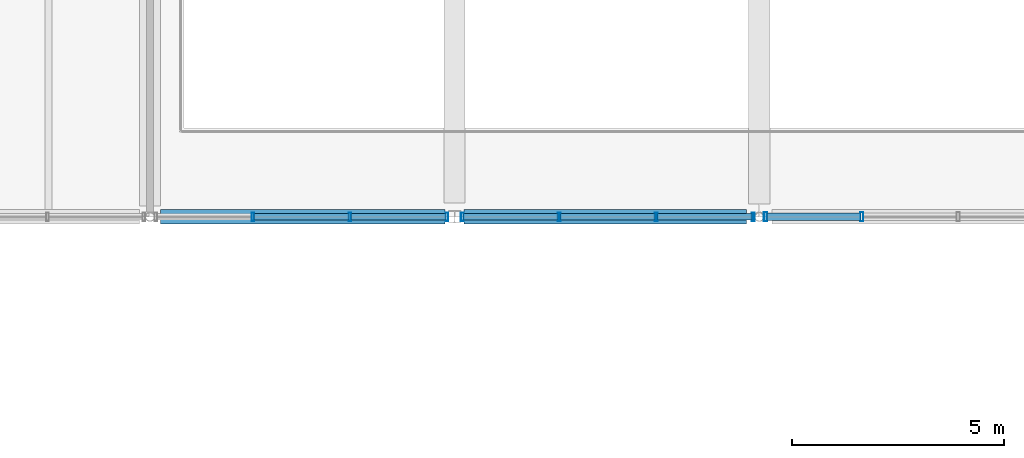
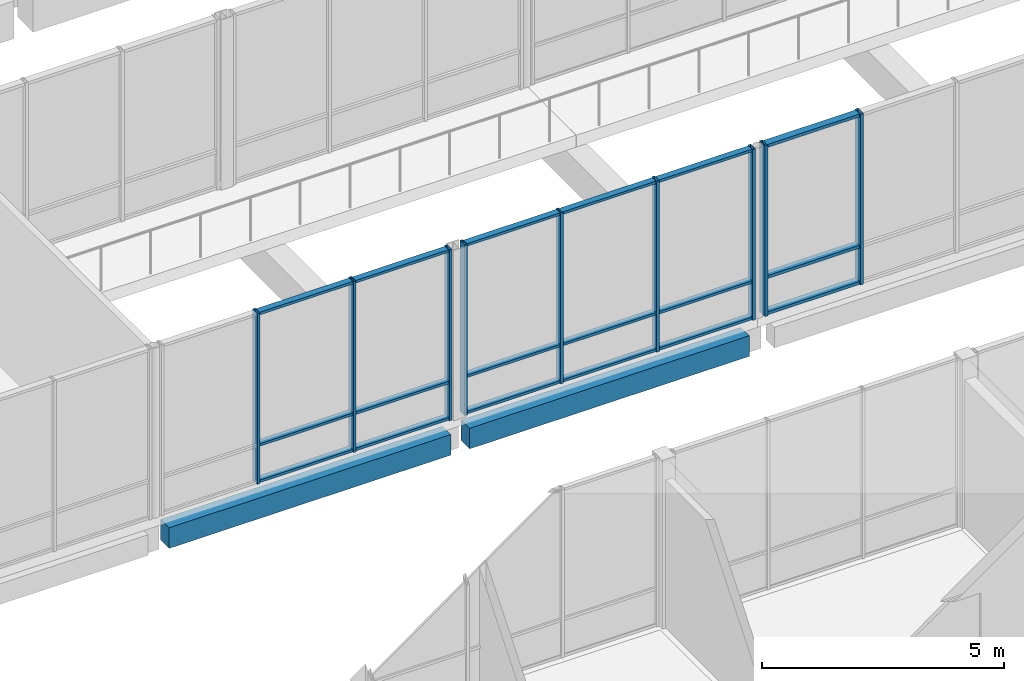
# One storey, part 36 of 146: 27 members, 2 beams, 3 elements without a shape of their own.
"""IFC4 building model written with IfcOpenShell, lengths in metres."""

import ifcopenshell
import ifcopenshell.guid

model = None  # the IFC model being written
_history = None  # IfcOwnerHistory: only IFC2X3 demands one
_inside = {}  # id of a spatial element -> (the spatial element, [elements in it])
_under = {}  # id of a project, library or spatial element -> (it, [spatial elements below it])
_declared = {}  # id of a project -> (the project, [libraries it declares])
_typed = {}  # id of a type object -> (the type object, [elements of that type])
_made_of = {}  # id of a material, layer set ... -> (it, [elements and type objects made of it])


def new_model(schema):
    """Start an empty IFC model of exactly this schema.

    Asked for "IFC4X3", IfcOpenShell would pick the latest addendum, in which some entities
    have other attributes; the version numbers below select the first issue.
    IFC2X3 requires an IfcOwnerHistory on every rooted entity: one is made here for all.
    """
    global model, _history
    if schema == "IFC4X3":
        model = ifcopenshell.file(schema_version=(4, 3, 0, 0))
    else:
        model = ifcopenshell.file(schema=schema)
    _inside.clear()
    _under.clear()
    _declared.clear()
    _typed.clear()
    _made_of.clear()
    _history = None
    if model.schema == "IFC2X3":
        org = make("IfcOrganization", Name="unknown")
        user = make(
            "IfcPersonAndOrganization",
            ThePerson=make("IfcPerson", FamilyName="unknown"),
            TheOrganization=org,
        )
        app = make(
            "IfcApplication",
            ApplicationDeveloper=org,
            Version="unknown",
            ApplicationFullName="unknown",
            ApplicationIdentifier="unknown",
        )
        _history = make(
            "IfcOwnerHistory",
            OwningUser=user,
            OwningApplication=app,
            ChangeAction="ADDED",
            CreationDate=0,
        )
    return model


def make(cls, **values):
    """One entity of the class cls with the attributes given. An attribute that is None is left unset."""
    return model.create_entity(
        cls, **{name: value for name, value in values.items() if value is not None}
    )


def rooted(cls, **values):
    """An entity with a GlobalId (a new one), such as an element, a storey or a relation."""
    return make(cls, GlobalId=ifcopenshell.guid.new(), OwnerHistory=_history, **values)


def si_unit(unit_type, name, prefix=None):
    """IfcSIUnit, for example si_unit("LENGTHUNIT", "METRE", prefix="MILLI")."""
    return make("IfcSIUnit", UnitType=unit_type, Prefix=prefix, Name=name)


def assignment(units):
    """IfcUnitAssignment: the units of a project."""
    return None if units is None else make("IfcUnitAssignment", Units=units)


def point(xyz):
    """IfcCartesianPoint."""
    return None if xyz is None else make("IfcCartesianPoint", Coordinates=xyz)


def direction(xyz):
    """IfcDirection."""
    return None if xyz is None else make("IfcDirection", DirectionRatios=xyz)


def frame(location, z_axis=None, x_axis=None):
    """IfcAxis2Placement3D, a coordinate frame: its origin and axes. An axis left out is left unset."""
    return make(
        "IfcAxis2Placement3D",
        Location=point(location),
        Axis=direction(z_axis),
        RefDirection=direction(x_axis),
    )


def frame_2d(location, x_axis=None):
    """IfcAxis2Placement2D, a coordinate frame in the plane: its origin and x axis."""
    return make(
        "IfcAxis2Placement2D", Location=point(location), RefDirection=direction(x_axis)
    )


def origin():
    """The frame at (0, 0, 0) with its axes left unset."""
    return frame((0.0, 0.0, 0.0))


def origin_2d():
    """The frame at (0, 0) in the plane with its x axis left unset."""
    return frame_2d((0.0, 0.0))


def place(relative_to, where):
    """IfcLocalPlacement: puts the frame where relative to a parent placement (None: the world)."""
    return make(
        "IfcLocalPlacement", PlacementRelTo=relative_to, RelativePlacement=where
    )


def context(
    kind, dimensions, precision=None, world=None, true_north=None, identifier=None
):
    """IfcGeometricRepresentationContext, for example the 3D "Model" context."""
    return make(
        "IfcGeometricRepresentationContext",
        ContextIdentifier=identifier,
        ContextType=kind,
        CoordinateSpaceDimension=dimensions,
        Precision=precision,
        WorldCoordinateSystem=world,
        TrueNorth=true_north,
    )


def subcontext(parent, identifier, kind, view, scale=None):
    """IfcGeometricRepresentationSubContext, for example "Body" below "Model"."""
    return make(
        "IfcGeometricRepresentationSubContext",
        ContextIdentifier=identifier,
        ContextType=kind,
        ParentContext=parent,
        TargetScale=scale,
        TargetView=view,
    )


def project(units=None, contexts=None):
    """IfcProject with its units and contexts."""
    return rooted(
        "IfcProject",
        Name="project",
        RepresentationContexts=contexts,
        UnitsInContext=assignment(units),
    )


def spatial(cls, under=None, at=None, **own):
    """A site, building, storey or space (cls), placed at a placement, below another one or the project."""
    s = rooted(cls, ObjectPlacement=at, **own)
    if under is not None:
        _under.setdefault(under.id(), (under, []))[1].append(s)
    return s


def profile(cls, at=None, kind="AREA", **sizes):
    """A parametric profile (cls). Its sizes go by their IFC names, for example OverallWidth=200.0."""
    return make(cls, ProfileType=kind, Position=at, **sizes)


def rectangle(**sizes):
    """IfcRectangleProfileDef."""
    return profile("IfcRectangleProfileDef", **sizes)


def hollow_rectangle(**sizes):
    """IfcRectangleHollowProfileDef."""
    return profile("IfcRectangleHollowProfileDef", **sizes)


def extrude(swept, where, along, depth):
    """IfcExtrudedAreaSolid: the profile swept, set in the frame where, extruded along a direction by depth."""
    return make(
        "IfcExtrudedAreaSolid",
        SweptArea=swept,
        Position=where,
        ExtrudedDirection=direction(along),
        Depth=depth,
    )


def shape(context_of_items, identifier, shape_type, items):
    """IfcShapeRepresentation: the items that make up one representation, for example the "Body"."""
    return make(
        "IfcShapeRepresentation",
        ContextOfItems=context_of_items,
        RepresentationIdentifier=identifier,
        RepresentationType=shape_type,
        Items=items,
    )


def material(Name=None, Category=None):
    """IfcMaterial."""
    return make("IfcMaterial", Name=Name, Category=Category)


def material_profile(
    of_material, cross_section, Name=None, Category=None, Priority=None
):
    """IfcMaterialProfile: a cross section and its material."""
    return make(
        "IfcMaterialProfile",
        Name=Name,
        Material=of_material,
        Profile=cross_section,
        Priority=Priority,
        Category=Category,
    )


def profile_set(profiles, Name=None, composite=None):
    """IfcMaterialProfileSet."""
    return make(
        "IfcMaterialProfileSet",
        Name=Name,
        MaterialProfiles=profiles,
        CompositeProfile=composite,
    )


def made_of(thing, what):
    """Note that an element or type object is made of a material, layer set ...; save() writes the relation."""
    if what is not None:
        _made_of.setdefault(what.id(), (what, []))[1].append(thing)
    return thing


def type_object(cls, material=None, **own):
    """A type object (cls), such as IfcWallType, which elements share."""
    return made_of(rooted(cls, **own), material)


def element(
    cls,
    number,
    at=None,
    inside=None,
    cuts=None,
    type_object=None,
    material=None,
    context=None,
    identifier="Body",
    shape_type=None,
    held_by="IfcProductDefinitionShape",
    body=None,
    shapes=None,
    **own,
):
    """One element of the class cls, such as IfcWall. Its Tag is "e" and its number.

    at: its placement. inside: the storey or other place that contains it. cuts: it is an
    opening in that element (IfcRelVoidsElement). A single representation is given by context,
    identifier, shape_type and body (its items); several are given by shapes. held_by: the class
    of the entity that holds the representations. save() writes the other relations.
    """
    e = rooted(cls, Tag="e%d" % number, ObjectPlacement=at, **own)
    if body is not None:
        shapes = [shape(context, identifier, shape_type, body)]
    if shapes is not None:
        e.Representation = make(held_by, Representations=shapes)
    if inside is not None:
        _inside.setdefault(inside.id(), (inside, []))[1].append(e)
    if cuts is not None:
        rooted(
            "IfcRelVoidsElement", RelatingBuildingElement=cuts, RelatedOpeningElement=e
        )
    if type_object is not None:
        _typed.setdefault(type_object.id(), (type_object, []))[1].append(e)
    return made_of(e, material)


def aggregate(whole, parts):
    """IfcRelAggregates: a whole, such as a stair, and the parts it consists of."""
    return rooted("IfcRelAggregates", RelatingObject=whole, RelatedObjects=parts)


def save(model, path):
    """Write the relations noted so far, then the file.

    IfcRelAggregates (storeys below a building ...), IfcRelContainedInSpatialStructure (elements
    in a storey), IfcRelDefinesByType, IfcRelAssociatesMaterial and IfcRelDeclares: one each for
    every whole, place, type object, material and project.
    """
    for whole, parts in _under.values():
        aggregate(whole, parts)
    for where, things in _inside.values():
        rooted(
            "IfcRelContainedInSpatialStructure",
            RelatedElements=things,
            RelatingStructure=where,
        )
    for kind, things in _typed.values():
        rooted("IfcRelDefinesByType", RelatedObjects=things, RelatingType=kind)
    for what, things in _made_of.values():
        rooted("IfcRelAssociatesMaterial", RelatedObjects=things, RelatingMaterial=what)
    for by, libraries in _declared.values():
        rooted("IfcRelDeclares", RelatingContext=by, RelatedDefinitions=libraries)
    model.write(path)


model = new_model("IFC4")

# Units and contexts
model_context = context("Model", 3, precision=1e-05, world=origin(), true_north=direction((0.0, 1.0)))
body_context = subcontext(model_context, "Body", "Model", "MODEL_VIEW")
ifc_project = project(units=[si_unit("LENGTHUNIT", "METRE"), si_unit("AREAUNIT", "SQUARE_METRE"), si_unit("VOLUMEUNIT", "CUBIC_METRE"), si_unit("PLANEANGLEUNIT", "RADIAN"), si_unit("MASSUNIT", "GRAM", prefix="KILO")], contexts=[model_context])

# Site, building, storey
site_placement = place(None, origin())
site = spatial("IfcSite", under=ifc_project, at=site_placement, CompositionType="ELEMENT")
building_placement = place(site_placement, origin())
building = spatial("IfcBuilding", under=site, at=building_placement, Name="Hawrajan Terrace Health Centre", CompositionType="ELEMENT")
storey_placement = place(building_placement, frame((0.0, 0.0, 4.5)))
storey = spatial("IfcBuildingStorey", under=building, at=storey_placement, Name="L01", CompositionType="ELEMENT", Elevation=4.5)

# Curtain wall, members
ifc_material_1 = material(Name="Anodized bronze aluminium and low-E solar glazing", Category="aluminium")
curtain_wall_type_1 = type_object("IfcCurtainWallType", Name="CW_Clerestory_SeriesG1", PredefinedType="USERDEFINED", material=ifc_material_1)
curtain_wall_1_placement = place(storey_placement, origin())
curtain_wall_1 = element("IfcCurtainWall", 1, at=curtain_wall_1_placement, inside=storey, type_object=curtain_wall_type_1, Name="Curtain wall CW-L01-064", ObjectType="UNITISED CURTAIN WALL", PredefinedType="USERDEFINED")
ifc_material_2 = material(Name="Anodized bronze aluminium 6063-T6", Category="aluminium")
ifc_material_profile_1 = material_profile(ifc_material_2, hollow_rectangle(XDim=0.06494140625, YDim=0.199951171875, WallThickness=0.00439453125, at=origin_2d()), Name="CW MUL 65x200")
ifc_profile_set_1 = profile_set([ifc_material_profile_1], Name="Anodized bronze aluminium 6063-T6")
member_type_1 = type_object("IfcMemberType", Name="CWMullion_65x200", PredefinedType="MULLION", material=ifc_profile_set_1)
member_1_placement = place(storey_placement, frame((35.833740234375, 27.199951171875, -0.0048828125), z_axis=(0.0, 0.0, 1.0), x_axis=(1.0, 0.0, 0.0)))
member_1 = element("IfcMember", 2, at=member_1_placement, type_object=member_type_1, Name="Mullion CW-L01-064-M2", PredefinedType="MULLION", context=body_context, shape_type="SweptSolid", body=[
    extrude(hollow_rectangle(XDim=0.06494140625, YDim=0.199951171875, WallThickness=0.00439453125, at=origin_2d()), origin(), (0.0, 0.0, 1.0), 4.309814453125),
])
member_2_placement = place(storey_placement, frame((38.125732421875, 27.199951171875, -0.0048828125), z_axis=(0.0, 0.0, 1.0), x_axis=(1.0, 0.0, 0.0)))
member_2 = element("IfcMember", 3, at=member_2_placement, type_object=member_type_1, Name="Mullion CW-L01-064-M3", PredefinedType="MULLION", context=body_context, shape_type="SweptSolid", body=[
    extrude(hollow_rectangle(XDim=0.06494140625, YDim=0.199951171875, WallThickness=0.00439453125, at=origin_2d()), origin(), (0.0, 0.0, 1.0), 4.309814453125),
])
member_3_placement = place(storey_placement, frame((40.41748046875, 27.199951171875, -0.0048828125), z_axis=(0.0, 0.0, 1.0), x_axis=(1.0, 0.0, 0.0)))
member_3 = element("IfcMember", 4, at=member_3_placement, type_object=member_type_1, Name="Mullion CW-L01-064-M4", PredefinedType="MULLION", context=body_context, shape_type="SweptSolid", body=[
    extrude(hollow_rectangle(XDim=0.06494140625, YDim=0.199951171875, WallThickness=0.00439453125, at=origin_2d()), origin(), (0.0, 0.0, 1.0), 4.309814453125),
])

curtain_wall_type_2 = type_object("IfcCurtainWallType", Name="CW_Setback_SeriesL1", PredefinedType="USERDEFINED", material=ifc_material_1)
curtain_wall_2_placement = place(storey_placement, origin())
curtain_wall_2 = element("IfcCurtainWall", 5, at=curtain_wall_2_placement, inside=storey, type_object=curtain_wall_type_2, Name="Curtain wall CW-L01-070", ObjectType="UNITISED CURTAIN WALL", PredefinedType="USERDEFINED")
member_4_placement = place(storey_placement, frame((40.782470703125, 27.199951171875, -0.0048828125), z_axis=(0.0, 0.0, 1.0), x_axis=(1.0, 0.0, 0.0)))
member_4 = element("IfcMember", 6, at=member_4_placement, type_object=member_type_1, Name="Mullion CW-L01-070-M1", PredefinedType="MULLION", context=body_context, shape_type="SweptSolid", body=[
    extrude(hollow_rectangle(XDim=0.06494140625, YDim=0.199951171875, WallThickness=0.00439453125, at=origin_2d()), origin(), (0.0, 0.0, 1.0), 4.309814453125),
])
member_5_placement = place(storey_placement, frame((43.07421875, 27.199951171875, -0.0048828125), z_axis=(0.0, 0.0, 1.0), x_axis=(1.0, 0.0, 0.0)))
member_5 = element("IfcMember", 7, at=member_5_placement, type_object=member_type_1, Name="Mullion CW-L01-070-M2", PredefinedType="MULLION", context=body_context, shape_type="SweptSolid", body=[
    extrude(hollow_rectangle(XDim=0.06494140625, YDim=0.199951171875, WallThickness=0.00439453125, at=origin_2d()), origin(), (0.0, 0.0, 1.0), 4.309814453125),
])
member_6_placement = place(storey_placement, frame((45.3662109375, 27.199951171875, -0.0048828125), z_axis=(0.0, 0.0, 1.0), x_axis=(1.0, 0.0, 0.0)))
member_6 = element("IfcMember", 8, at=member_6_placement, type_object=member_type_1, Name="Mullion CW-L01-070-M3", PredefinedType="MULLION", context=body_context, shape_type="SweptSolid", body=[
    extrude(hollow_rectangle(XDim=0.06494140625, YDim=0.199951171875, WallThickness=0.00439453125, at=origin_2d()), origin(), (0.0, 0.0, 1.0), 4.309814453125),
])
member_7_placement = place(storey_placement, frame((47.657958984375, 27.199951171875, -0.0048828125), z_axis=(0.0, 0.0, 1.0), x_axis=(1.0, 0.0, 0.0)))
member_7 = element("IfcMember", 9, at=member_7_placement, type_object=member_type_1, Name="Mullion CW-L01-070-M4", PredefinedType="MULLION", context=body_context, shape_type="SweptSolid", body=[
    extrude(hollow_rectangle(XDim=0.06494140625, YDim=0.199951171875, WallThickness=0.00439453125, at=origin_2d()), origin(), (0.0, 0.0, 1.0), 4.309814453125),
])

curtain_wall_type_3 = type_object("IfcCurtainWallType", Name="CW_Court_SeriesA2", PredefinedType="USERDEFINED", material=ifc_material_1)
curtain_wall_3_placement = place(storey_placement, origin())
curtain_wall_3 = element("IfcCurtainWall", 10, at=curtain_wall_3_placement, inside=storey, type_object=curtain_wall_type_3, Name="Curtain wall CW-L01-074", ObjectType="UNITISED CURTAIN WALL", PredefinedType="USERDEFINED")
ifc_material_profile_2 = material_profile(ifc_material_2, hollow_rectangle(XDim=0.074951171875, YDim=0.219970703125, WallThickness=0.0048828125, at=origin_2d()), Name="CW MUL 75x220")
ifc_profile_set_2 = profile_set([ifc_material_profile_2], Name="Anodized bronze aluminium 6063-T6")
member_type_2 = type_object("IfcMemberType", Name="CWMullion_75x220", PredefinedType="MULLION", material=ifc_profile_set_2)
member_8_placement = place(storey_placement, frame((47.947021484375, 27.199951171875, -0.0048828125), z_axis=(0.0, 0.0, 1.0), x_axis=(1.0, 0.0, 0.0)))
member_8 = element("IfcMember", 11, at=member_8_placement, type_object=member_type_2, Name="Mullion CW-L01-074-M1", PredefinedType="MULLION", context=body_context, shape_type="SweptSolid", body=[
    extrude(hollow_rectangle(XDim=0.074951171875, YDim=0.219970703125, WallThickness=0.0048828125, at=origin_2d()), origin(), (0.0, 0.0, 1.0), 4.309814453125),
])
member_9_placement = place(storey_placement, frame((50.2255859375, 27.199951171875, -0.0048828125), z_axis=(0.0, 0.0, 1.0), x_axis=(1.0, 0.0, 0.0)))
member_9 = element("IfcMember", 12, at=member_9_placement, type_object=member_type_2, Name="Mullion CW-L01-074-M2", PredefinedType="MULLION", context=body_context, shape_type="SweptSolid", body=[
    extrude(hollow_rectangle(XDim=0.074951171875, YDim=0.219970703125, WallThickness=0.0048828125, at=origin_2d()), origin(), (0.0, 0.0, 1.0), 4.309814453125),
])

# Member
ifc_material_profile_3 = material_profile(ifc_material_2, hollow_rectangle(XDim=0.06494140625, YDim=0.14990234375, WallThickness=0.00390625, at=origin_2d()), Name="CW TRN 65x150")
ifc_profile_set_3 = profile_set([ifc_material_profile_3], Name="Anodized bronze aluminium 6063-T6")
member_type_3 = type_object("IfcMemberType", Name="CWTransom_65x150", PredefinedType="USERDEFINED", material=ifc_profile_set_3)
member_10_placement = place(storey_placement, frame((35.8603515625, 27.199951171875, 0.032470703125), z_axis=(1.0, 0.0, 0.0), x_axis=(0.0, 0.0, 1.0)))
member_10 = element("IfcMember", 13, at=member_10_placement, type_object=member_type_3, Name="Transom CW-L01-064-T2-1", ObjectType="TRANSOM", PredefinedType="USERDEFINED", context=body_context, shape_type="SweptSolid", body=[
    extrude(hollow_rectangle(XDim=0.06494140625, YDim=0.14990234375, WallThickness=0.00390625, at=origin_2d()), origin(), (0.0, 0.0, 1.0), 2.23876953125),
])

member_11_placement = place(storey_placement, frame((35.8603515625, 27.199951171875, 0.949951171875), z_axis=(1.0, 0.0, 0.0), x_axis=(0.0, 0.0, 1.0)))
member_11 = element("IfcMember", 14, at=member_11_placement, type_object=member_type_3, Name="Transom CW-L01-064-T2-2", ObjectType="TRANSOM", PredefinedType="USERDEFINED", context=body_context, shape_type="SweptSolid", body=[
    extrude(hollow_rectangle(XDim=0.06494140625, YDim=0.14990234375, WallThickness=0.00390625, at=origin_2d()), origin(), (0.0, 0.0, 1.0), 2.23876953125),
])

member_12_placement = place(storey_placement, frame((35.8603515625, 27.199951171875, 4.267578125), z_axis=(1.0, 0.0, 0.0), x_axis=(0.0, 0.0, 1.0)))
member_12 = element("IfcMember", 15, at=member_12_placement, type_object=member_type_3, Name="Transom CW-L01-064-T2-3", ObjectType="TRANSOM", PredefinedType="USERDEFINED", context=body_context, shape_type="SweptSolid", body=[
    extrude(hollow_rectangle(XDim=0.06494140625, YDim=0.14990234375, WallThickness=0.00390625, at=origin_2d()), origin(), (0.0, 0.0, 1.0), 2.23876953125),
])

member_13_placement = place(storey_placement, frame((38.152099609375, 27.199951171875, 0.032470703125), z_axis=(1.0, 0.0, 0.0), x_axis=(0.0, 0.0, 1.0)))
member_13 = element("IfcMember", 16, at=member_13_placement, type_object=member_type_3, Name="Transom CW-L01-064-T3-1", ObjectType="TRANSOM", PredefinedType="USERDEFINED", context=body_context, shape_type="SweptSolid", body=[
    extrude(hollow_rectangle(XDim=0.06494140625, YDim=0.14990234375, WallThickness=0.00390625, at=origin_2d()), origin(), (0.0, 0.0, 1.0), 2.239013671875),
])

member_14_placement = place(storey_placement, frame((38.152099609375, 27.199951171875, 0.949951171875), z_axis=(1.0, 0.0, 0.0), x_axis=(0.0, 0.0, 1.0)))
member_14 = element("IfcMember", 17, at=member_14_placement, type_object=member_type_3, Name="Transom CW-L01-064-T3-2", ObjectType="TRANSOM", PredefinedType="USERDEFINED", context=body_context, shape_type="SweptSolid", body=[
    extrude(hollow_rectangle(XDim=0.06494140625, YDim=0.14990234375, WallThickness=0.00390625, at=origin_2d()), origin(), (0.0, 0.0, 1.0), 2.239013671875),
])

member_15_placement = place(storey_placement, frame((38.152099609375, 27.199951171875, 4.267578125), z_axis=(1.0, 0.0, 0.0), x_axis=(0.0, 0.0, 1.0)))
member_15 = element("IfcMember", 18, at=member_15_placement, type_object=member_type_3, Name="Transom CW-L01-064-T3-3", ObjectType="TRANSOM", PredefinedType="USERDEFINED", context=body_context, shape_type="SweptSolid", body=[
    extrude(hollow_rectangle(XDim=0.06494140625, YDim=0.14990234375, WallThickness=0.00390625, at=origin_2d()), origin(), (0.0, 0.0, 1.0), 2.239013671875),
])

aggregate(curtain_wall_1, [member_1, member_2, member_3, member_10, member_11, member_12, member_13, member_14, member_15])

member_16_placement = place(storey_placement, frame((40.80908203125, 27.199951171875, 0.032470703125), z_axis=(1.0, 0.0, 0.0), x_axis=(0.0, 0.0, 1.0)))
member_16 = element("IfcMember", 19, at=member_16_placement, type_object=member_type_3, Name="Transom CW-L01-070-T1-1", ObjectType="TRANSOM", PredefinedType="USERDEFINED", context=body_context, shape_type="SweptSolid", body=[
    extrude(hollow_rectangle(XDim=0.06494140625, YDim=0.14990234375, WallThickness=0.00390625, at=origin_2d()), origin(), (0.0, 0.0, 1.0), 2.23876953125),
])

member_17_placement = place(storey_placement, frame((40.80908203125, 27.199951171875, 0.949951171875), z_axis=(1.0, 0.0, 0.0), x_axis=(0.0, 0.0, 1.0)))
member_17 = element("IfcMember", 20, at=member_17_placement, type_object=member_type_3, Name="Transom CW-L01-070-T1-2", ObjectType="TRANSOM", PredefinedType="USERDEFINED", context=body_context, shape_type="SweptSolid", body=[
    extrude(hollow_rectangle(XDim=0.06494140625, YDim=0.14990234375, WallThickness=0.00390625, at=origin_2d()), origin(), (0.0, 0.0, 1.0), 2.23876953125),
])

member_18_placement = place(storey_placement, frame((40.80908203125, 27.199951171875, 4.267578125), z_axis=(1.0, 0.0, 0.0), x_axis=(0.0, 0.0, 1.0)))
member_18 = element("IfcMember", 21, at=member_18_placement, type_object=member_type_3, Name="Transom CW-L01-070-T1-3", ObjectType="TRANSOM", PredefinedType="USERDEFINED", context=body_context, shape_type="SweptSolid", body=[
    extrude(hollow_rectangle(XDim=0.06494140625, YDim=0.14990234375, WallThickness=0.00390625, at=origin_2d()), origin(), (0.0, 0.0, 1.0), 2.23876953125),
])

member_19_placement = place(storey_placement, frame((43.100830078125, 27.199951171875, 0.032470703125), z_axis=(1.0, 0.0, 0.0), x_axis=(0.0, 0.0, 1.0)))
member_19 = element("IfcMember", 22, at=member_19_placement, type_object=member_type_3, Name="Transom CW-L01-070-T2-1", ObjectType="TRANSOM", PredefinedType="USERDEFINED", context=body_context, shape_type="SweptSolid", body=[
    extrude(hollow_rectangle(XDim=0.06494140625, YDim=0.14990234375, WallThickness=0.00390625, at=origin_2d()), origin(), (0.0, 0.0, 1.0), 2.23876953125),
])

member_20_placement = place(storey_placement, frame((43.100830078125, 27.199951171875, 0.949951171875), z_axis=(1.0, 0.0, 0.0), x_axis=(0.0, 0.0, 1.0)))
member_20 = element("IfcMember", 23, at=member_20_placement, type_object=member_type_3, Name="Transom CW-L01-070-T2-2", ObjectType="TRANSOM", PredefinedType="USERDEFINED", context=body_context, shape_type="SweptSolid", body=[
    extrude(hollow_rectangle(XDim=0.06494140625, YDim=0.14990234375, WallThickness=0.00390625, at=origin_2d()), origin(), (0.0, 0.0, 1.0), 2.23876953125),
])

member_21_placement = place(storey_placement, frame((43.100830078125, 27.199951171875, 4.267578125), z_axis=(1.0, 0.0, 0.0), x_axis=(0.0, 0.0, 1.0)))
member_21 = element("IfcMember", 24, at=member_21_placement, type_object=member_type_3, Name="Transom CW-L01-070-T2-3", ObjectType="TRANSOM", PredefinedType="USERDEFINED", context=body_context, shape_type="SweptSolid", body=[
    extrude(hollow_rectangle(XDim=0.06494140625, YDim=0.14990234375, WallThickness=0.00390625, at=origin_2d()), origin(), (0.0, 0.0, 1.0), 2.23876953125),
])

member_22_placement = place(storey_placement, frame((45.392578125, 27.199951171875, 0.032470703125), z_axis=(1.0, 0.0, 0.0), x_axis=(0.0, 0.0, 1.0)))
member_22 = element("IfcMember", 25, at=member_22_placement, type_object=member_type_3, Name="Transom CW-L01-070-T3-1", ObjectType="TRANSOM", PredefinedType="USERDEFINED", context=body_context, shape_type="SweptSolid", body=[
    extrude(hollow_rectangle(XDim=0.06494140625, YDim=0.14990234375, WallThickness=0.00390625, at=origin_2d()), origin(), (0.0, 0.0, 1.0), 2.23876953125),
])

member_23_placement = place(storey_placement, frame((45.392578125, 27.199951171875, 0.949951171875), z_axis=(1.0, 0.0, 0.0), x_axis=(0.0, 0.0, 1.0)))
member_23 = element("IfcMember", 26, at=member_23_placement, type_object=member_type_3, Name="Transom CW-L01-070-T3-2", ObjectType="TRANSOM", PredefinedType="USERDEFINED", context=body_context, shape_type="SweptSolid", body=[
    extrude(hollow_rectangle(XDim=0.06494140625, YDim=0.14990234375, WallThickness=0.00390625, at=origin_2d()), origin(), (0.0, 0.0, 1.0), 2.23876953125),
])

member_24_placement = place(storey_placement, frame((45.392578125, 27.199951171875, 4.267578125), z_axis=(1.0, 0.0, 0.0), x_axis=(0.0, 0.0, 1.0)))
member_24 = element("IfcMember", 27, at=member_24_placement, type_object=member_type_3, Name="Transom CW-L01-070-T3-3", ObjectType="TRANSOM", PredefinedType="USERDEFINED", context=body_context, shape_type="SweptSolid", body=[
    extrude(hollow_rectangle(XDim=0.06494140625, YDim=0.14990234375, WallThickness=0.00390625, at=origin_2d()), origin(), (0.0, 0.0, 1.0), 2.23876953125),
])

aggregate(curtain_wall_2, [member_4, member_5, member_6, member_7, member_16, member_17, member_18, member_19, member_20, member_21, member_22, member_23, member_24])

ifc_material_profile_4 = material_profile(ifc_material_2, hollow_rectangle(XDim=0.074951171875, YDim=0.169921875, WallThickness=0.00439453125, at=origin_2d()), Name="CW TRN 75x170")
ifc_profile_set_4 = profile_set([ifc_material_profile_4], Name="Anodized bronze aluminium 6063-T6")
member_type_4 = type_object("IfcMemberType", Name="CWTransom_75x170", PredefinedType="USERDEFINED", material=ifc_profile_set_4)
member_25_placement = place(storey_placement, frame((47.978515625, 27.199951171875, 0.03759765625), z_axis=(1.0, 0.0, 0.0), x_axis=(0.0, 0.0, 1.0)))
member_25 = element("IfcMember", 28, at=member_25_placement, type_object=member_type_4, Name="Transom CW-L01-074-T1-1", ObjectType="TRANSOM", PredefinedType="USERDEFINED", context=body_context, shape_type="SweptSolid", body=[
    extrude(hollow_rectangle(XDim=0.074951171875, YDim=0.169921875, WallThickness=0.00439453125, at=origin_2d()), origin(), (0.0, 0.0, 1.0), 2.215576171875),
])

member_26_placement = place(storey_placement, frame((47.978515625, 27.199951171875, 0.949951171875), z_axis=(1.0, 0.0, 0.0), x_axis=(0.0, 0.0, 1.0)))
member_26 = element("IfcMember", 29, at=member_26_placement, type_object=member_type_4, Name="Transom CW-L01-074-T1-2", ObjectType="TRANSOM", PredefinedType="USERDEFINED", context=body_context, shape_type="SweptSolid", body=[
    extrude(hollow_rectangle(XDim=0.074951171875, YDim=0.169921875, WallThickness=0.00439453125, at=origin_2d()), origin(), (0.0, 0.0, 1.0), 2.215576171875),
])

member_27_placement = place(storey_placement, frame((47.978515625, 27.199951171875, 4.262451171875), z_axis=(1.0, 0.0, 0.0), x_axis=(0.0, 0.0, 1.0)))
member_27 = element("IfcMember", 30, at=member_27_placement, type_object=member_type_4, Name="Transom CW-L01-074-T1-3", ObjectType="TRANSOM", PredefinedType="USERDEFINED", context=body_context, shape_type="SweptSolid", body=[
    extrude(hollow_rectangle(XDim=0.074951171875, YDim=0.169921875, WallThickness=0.00439453125, at=origin_2d()), origin(), (0.0, 0.0, 1.0), 2.215576171875),
])

aggregate(curtain_wall_3, [member_8, member_9, member_25, member_26, member_27])

# Beams
ifc_material_3 = material(Name="Concrete C40/50", Category="concrete")
ifc_material_profile_5 = material_profile(ifc_material_3, rectangle(XDim=0.35009765625, YDim=0.52001953125, at=origin_2d()), Name="RC SP 350x520")
ifc_profile_set_5 = profile_set([ifc_material_profile_5], Name="Concrete C40/50")
beam_type = type_object("IfcBeamType", Name="RCSpandrel_350x520", PredefinedType="SPANDREL", material=ifc_profile_set_5)
beam_1_placement = place(storey_placement, frame((33.64990234375, 27.199951171875, -0.56005859375), z_axis=(1.0, 0.0, 0.0), x_axis=(0.0, 1.0, 0.0)))
element("IfcBeam", 31, at=beam_1_placement, inside=storey, type_object=beam_type, Name="Beam BM-X-L01-W-05-Y4", PredefinedType="SPANDREL", context=body_context, shape_type="SweptSolid", body=[
    extrude(rectangle(XDim=0.35009765625, YDim=0.52001953125, at=origin_2d()), origin(), (0.0, 0.0, 1.0), 6.72509765625),
])
beam_2_placement = place(storey_placement, frame((40.824951171875, 27.199951171875, -0.56005859375), z_axis=(1.0, 0.0, 0.0), x_axis=(0.0, 1.0, 0.0)))
element("IfcBeam", 32, at=beam_2_placement, inside=storey, type_object=beam_type, Name="Beam BM-X-L01-W-06-Y4", PredefinedType="SPANDREL", context=body_context, shape_type="SweptSolid", body=[
    extrude(rectangle(XDim=0.35009765625, YDim=0.52001953125, at=origin_2d()), origin(), (0.0, 0.0, 1.0), 6.675048828125),
])

save(model, "model.ifc")
